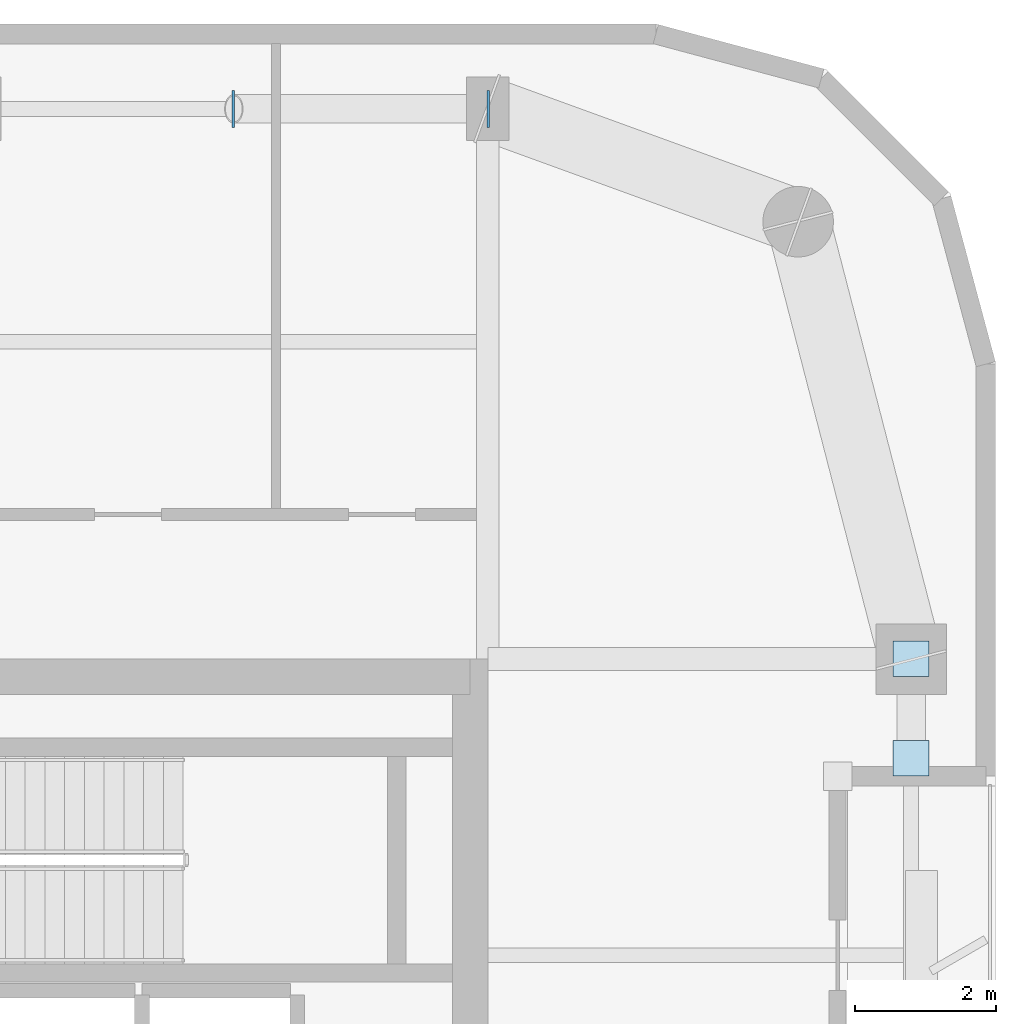
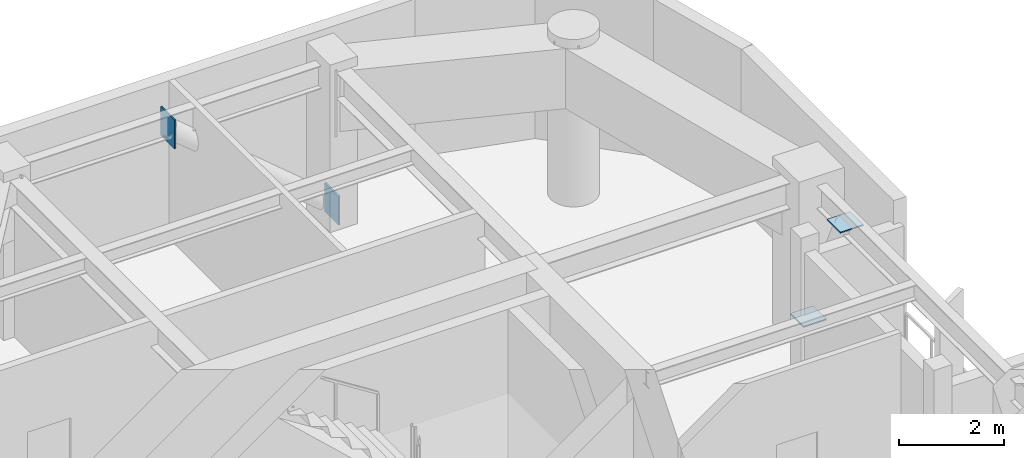
# One storey, part 9 of 15: 4 plates.
"""IFC4 building model written with IfcOpenShell, lengths in metres."""

import ifcopenshell
import ifcopenshell.guid

model = None  # the IFC model being written
_history = None  # IfcOwnerHistory: only IFC2X3 demands one
_inside = {}  # id of a spatial element -> (the spatial element, [elements in it])
_under = {}  # id of a project, library or spatial element -> (it, [spatial elements below it])
_declared = {}  # id of a project -> (the project, [libraries it declares])
_typed = {}  # id of a type object -> (the type object, [elements of that type])
_made_of = {}  # id of a material, layer set ... -> (it, [elements and type objects made of it])


def new_model(schema):
    """Start an empty IFC model of exactly this schema.

    Asked for "IFC4X3", IfcOpenShell would pick the latest addendum, in which some entities
    have other attributes; the version numbers below select the first issue.
    IFC2X3 requires an IfcOwnerHistory on every rooted entity: one is made here for all.
    """
    global model, _history
    if schema == "IFC4X3":
        model = ifcopenshell.file(schema_version=(4, 3, 0, 0))
    else:
        model = ifcopenshell.file(schema=schema)
    _inside.clear()
    _under.clear()
    _declared.clear()
    _typed.clear()
    _made_of.clear()
    _history = None
    if model.schema == "IFC2X3":
        org = make("IfcOrganization", Name="unknown")
        user = make(
            "IfcPersonAndOrganization",
            ThePerson=make("IfcPerson", FamilyName="unknown"),
            TheOrganization=org,
        )
        app = make(
            "IfcApplication",
            ApplicationDeveloper=org,
            Version="unknown",
            ApplicationFullName="unknown",
            ApplicationIdentifier="unknown",
        )
        _history = make(
            "IfcOwnerHistory",
            OwningUser=user,
            OwningApplication=app,
            ChangeAction="ADDED",
            CreationDate=0,
        )
    return model


def make(cls, **values):
    """One entity of the class cls with the attributes given. An attribute that is None is left unset."""
    return model.create_entity(
        cls, **{name: value for name, value in values.items() if value is not None}
    )


def rooted(cls, **values):
    """An entity with a GlobalId (a new one), such as an element, a storey or a relation."""
    return make(cls, GlobalId=ifcopenshell.guid.new(), OwnerHistory=_history, **values)


def si_unit(unit_type, name, prefix=None):
    """IfcSIUnit, for example si_unit("LENGTHUNIT", "METRE", prefix="MILLI")."""
    return make("IfcSIUnit", UnitType=unit_type, Prefix=prefix, Name=name)


def assignment(units):
    """IfcUnitAssignment: the units of a project."""
    return None if units is None else make("IfcUnitAssignment", Units=units)


def point(xyz):
    """IfcCartesianPoint."""
    return None if xyz is None else make("IfcCartesianPoint", Coordinates=xyz)


def direction(xyz):
    """IfcDirection."""
    return None if xyz is None else make("IfcDirection", DirectionRatios=xyz)


def frame(location, z_axis=None, x_axis=None):
    """IfcAxis2Placement3D, a coordinate frame: its origin and axes. An axis left out is left unset."""
    return make(
        "IfcAxis2Placement3D",
        Location=point(location),
        Axis=direction(z_axis),
        RefDirection=direction(x_axis),
    )


def frame_2d(location, x_axis=None):
    """IfcAxis2Placement2D, a coordinate frame in the plane: its origin and x axis."""
    return make(
        "IfcAxis2Placement2D", Location=point(location), RefDirection=direction(x_axis)
    )


def origin():
    """The frame at (0, 0, 0) with its axes left unset."""
    return frame((0.0, 0.0, 0.0))


def origin_2d():
    """The frame at (0, 0) in the plane with its x axis left unset."""
    return frame_2d((0.0, 0.0))


def place(relative_to, where):
    """IfcLocalPlacement: puts the frame where relative to a parent placement (None: the world)."""
    return make(
        "IfcLocalPlacement", PlacementRelTo=relative_to, RelativePlacement=where
    )


def context(
    kind, dimensions, precision=None, world=None, true_north=None, identifier=None
):
    """IfcGeometricRepresentationContext, for example the 3D "Model" context."""
    return make(
        "IfcGeometricRepresentationContext",
        ContextIdentifier=identifier,
        ContextType=kind,
        CoordinateSpaceDimension=dimensions,
        Precision=precision,
        WorldCoordinateSystem=world,
        TrueNorth=true_north,
    )


def subcontext(parent, identifier, kind, view, scale=None):
    """IfcGeometricRepresentationSubContext, for example "Body" below "Model"."""
    return make(
        "IfcGeometricRepresentationSubContext",
        ContextIdentifier=identifier,
        ContextType=kind,
        ParentContext=parent,
        TargetScale=scale,
        TargetView=view,
    )


def project(units=None, contexts=None):
    """IfcProject with its units and contexts."""
    return rooted(
        "IfcProject",
        Name="project",
        RepresentationContexts=contexts,
        UnitsInContext=assignment(units),
    )


def spatial(cls, under=None, at=None, **own):
    """A site, building, storey or space (cls), placed at a placement, below another one or the project."""
    s = rooted(cls, ObjectPlacement=at, **own)
    if under is not None:
        _under.setdefault(under.id(), (under, []))[1].append(s)
    return s


def profile(cls, at=None, kind="AREA", **sizes):
    """A parametric profile (cls). Its sizes go by their IFC names, for example OverallWidth=200.0."""
    return make(cls, ProfileType=kind, Position=at, **sizes)


def rectangle(**sizes):
    """IfcRectangleProfileDef."""
    return profile("IfcRectangleProfileDef", **sizes)


def extrude(swept, where, along, depth):
    """IfcExtrudedAreaSolid: the profile swept, set in the frame where, extruded along a direction by depth."""
    return make(
        "IfcExtrudedAreaSolid",
        SweptArea=swept,
        Position=where,
        ExtrudedDirection=direction(along),
        Depth=depth,
    )


def shape(context_of_items, identifier, shape_type, items):
    """IfcShapeRepresentation: the items that make up one representation, for example the "Body"."""
    return make(
        "IfcShapeRepresentation",
        ContextOfItems=context_of_items,
        RepresentationIdentifier=identifier,
        RepresentationType=shape_type,
        Items=items,
    )


def material(Name=None, Category=None):
    """IfcMaterial."""
    return make("IfcMaterial", Name=Name, Category=Category)


def layer(
    of_material, thickness, ventilated=None, Name=None, Category=None, Priority=None
):
    """IfcMaterialLayer: one layer of a wall or slab, of a material (None: an air gap)."""
    return make(
        "IfcMaterialLayer",
        Material=of_material,
        LayerThickness=thickness,
        IsVentilated=ventilated,
        Name=Name,
        Category=Category,
        Priority=Priority,
    )


def layer_set(layers, Name=None):
    """IfcMaterialLayerSet."""
    return make("IfcMaterialLayerSet", MaterialLayers=layers, LayerSetName=Name)


def made_of(thing, what):
    """Note that an element or type object is made of a material, layer set ...; save() writes the relation."""
    if what is not None:
        _made_of.setdefault(what.id(), (what, []))[1].append(thing)
    return thing


def type_object(cls, material=None, **own):
    """A type object (cls), such as IfcWallType, which elements share."""
    return made_of(rooted(cls, **own), material)


def element(
    cls,
    number,
    at=None,
    inside=None,
    cuts=None,
    type_object=None,
    material=None,
    context=None,
    identifier="Body",
    shape_type=None,
    held_by="IfcProductDefinitionShape",
    body=None,
    shapes=None,
    **own,
):
    """One element of the class cls, such as IfcWall. Its Tag is "e" and its number.

    at: its placement. inside: the storey or other place that contains it. cuts: it is an
    opening in that element (IfcRelVoidsElement). A single representation is given by context,
    identifier, shape_type and body (its items); several are given by shapes. held_by: the class
    of the entity that holds the representations. save() writes the other relations.
    """
    e = rooted(cls, Tag="e%d" % number, ObjectPlacement=at, **own)
    if body is not None:
        shapes = [shape(context, identifier, shape_type, body)]
    if shapes is not None:
        e.Representation = make(held_by, Representations=shapes)
    if inside is not None:
        _inside.setdefault(inside.id(), (inside, []))[1].append(e)
    if cuts is not None:
        rooted(
            "IfcRelVoidsElement", RelatingBuildingElement=cuts, RelatedOpeningElement=e
        )
    if type_object is not None:
        _typed.setdefault(type_object.id(), (type_object, []))[1].append(e)
    return made_of(e, material)


def aggregate(whole, parts):
    """IfcRelAggregates: a whole, such as a stair, and the parts it consists of."""
    return rooted("IfcRelAggregates", RelatingObject=whole, RelatedObjects=parts)


def save(model, path):
    """Write the relations noted so far, then the file.

    IfcRelAggregates (storeys below a building ...), IfcRelContainedInSpatialStructure (elements
    in a storey), IfcRelDefinesByType, IfcRelAssociatesMaterial and IfcRelDeclares: one each for
    every whole, place, type object, material and project.
    """
    for whole, parts in _under.values():
        aggregate(whole, parts)
    for where, things in _inside.values():
        rooted(
            "IfcRelContainedInSpatialStructure",
            RelatedElements=things,
            RelatingStructure=where,
        )
    for kind, things in _typed.values():
        rooted("IfcRelDefinesByType", RelatedObjects=things, RelatingType=kind)
    for what, things in _made_of.values():
        rooted("IfcRelAssociatesMaterial", RelatedObjects=things, RelatingMaterial=what)
    for by, libraries in _declared.values():
        rooted("IfcRelDeclares", RelatingContext=by, RelatedDefinitions=libraries)
    model.write(path)


model = new_model("IFC4")

# Units and contexts
model_context = context("Model", 3, precision=1e-05, world=origin(), true_north=direction((0.0, 1.0)))
body_context = subcontext(model_context, "Body", "Model", "MODEL_VIEW")
ifc_project = project(units=[si_unit("LENGTHUNIT", "METRE"), si_unit("AREAUNIT", "SQUARE_METRE"), si_unit("VOLUMEUNIT", "CUBIC_METRE"), si_unit("PLANEANGLEUNIT", "RADIAN"), si_unit("MASSUNIT", "GRAM", prefix="KILO")], contexts=[model_context])

# Site, building, storey
site_placement = place(None, origin())
site = spatial("IfcSite", under=ifc_project, at=site_placement, CompositionType="ELEMENT")
building_placement = place(site_placement, origin())
building = spatial("IfcBuilding", under=site, at=building_placement, Name="Kiyonajd Concourse Tower", CompositionType="ELEMENT")
storey_placement = place(building_placement, frame((0.0, 0.0, 270.60009765625)))
storey = spatial("IfcBuildingStorey", under=building, at=storey_placement, Name="L68", CompositionType="ELEMENT", Elevation=270.60009765625)

# Plates
ifc_material = material(Name="Steel ASTM A572 Grade 50", Category="steel")
ifc_layer = layer(ifc_material, 0.028076171875)
ifc_layer_set = layer_set([ifc_layer], Name="Steel ASTM A572 Grade 50")
plate_type = type_object("IfcPlateType", Name="PL-CAP-450", PredefinedType="USERDEFINED", material=ifc_layer_set)
for number, where, z_axis, x_axis, name in (
    (1, (63.6083984375, 52.199951171875, -0.042724609375), (0.0, 0.0, 1.0), (1.0, 0.0, 0.0), "L68 Hollow Brace End Cap Plate PBN"),
    (2, (59.99169921875, 52.199951171875, 3.00146484375), (0.0, 0.0, 1.0), (-1.0, 0.0, 0.0), "L68 Hollow Brace Top Cap Plate PBN"),
):
    element("IfcPlate", number, at=place(storey_placement, frame(where, z_axis=z_axis, x_axis=x_axis)), inside=storey, type_object=plate_type, Name=name, ObjectType="CAP PLATE", PredefinedType="USERDEFINED", context=body_context, shape_type="SweptSolid", body=[
        extrude(rectangle(XDim=0.035888671875, YDim=0.52587890625, at=origin_2d()), origin(), (0.0, 0.0, 1.0), 0.6708984375),
    ])
for number, where, z_axis, x_axis, name in (
    (3, (69.60009765625, 44.404541015625, 0.27587890625), (0.0, 0.0, 1.0), (1.0, 0.0, 0.0), "L68 Hollow Brace End Cap Plate PBE"),
    (4, (69.60009765625, 42.995361328125, 3.32568359375), (0.0, 0.0, 1.0), (1.0, 0.0, 0.0), "L68 Hollow Brace Top Cap Plate PBE"),
):
    element("IfcPlate", number, at=place(storey_placement, frame(where, z_axis=z_axis, x_axis=x_axis)), inside=storey, type_object=plate_type, Name=name, ObjectType="CAP PLATE", PredefinedType="USERDEFINED", context=body_context, shape_type="SweptSolid", body=[
        extrude(rectangle(XDim=0.506103515625, YDim=0.506103515625, at=origin_2d()), origin(), (0.0, 0.0, 1.0), 0.028076171875),
    ])

save(model, "model.ifc")
